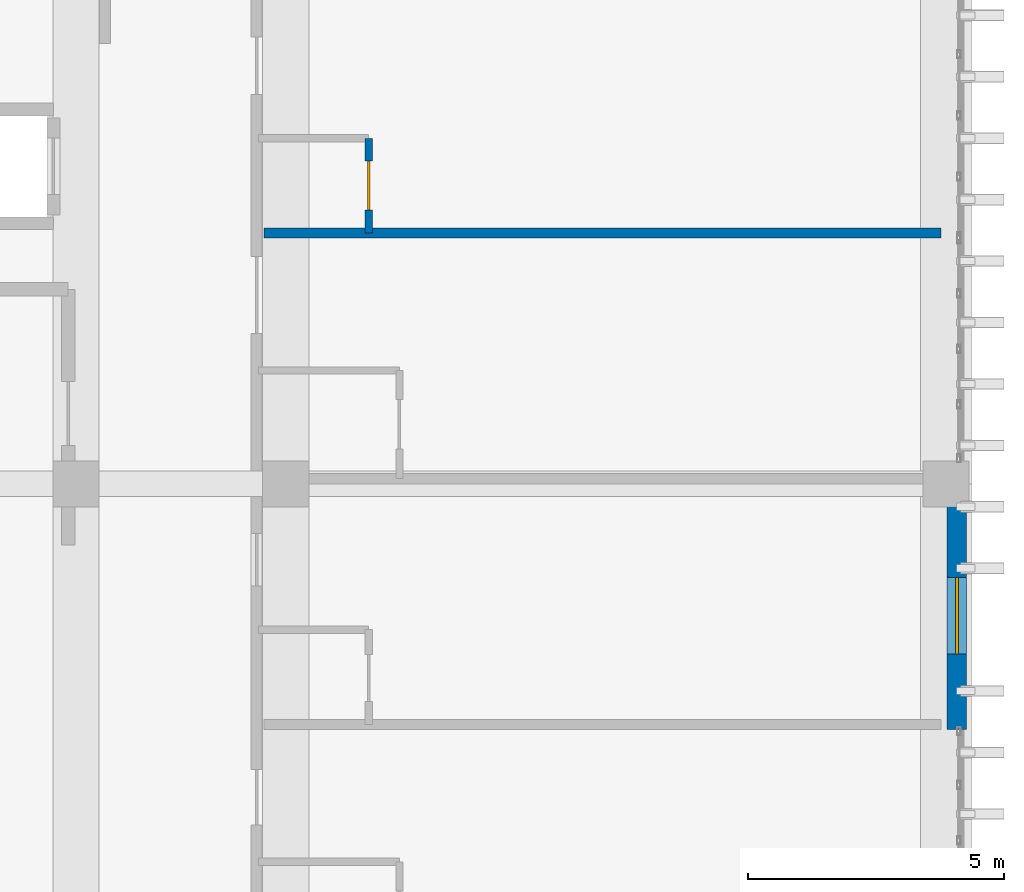
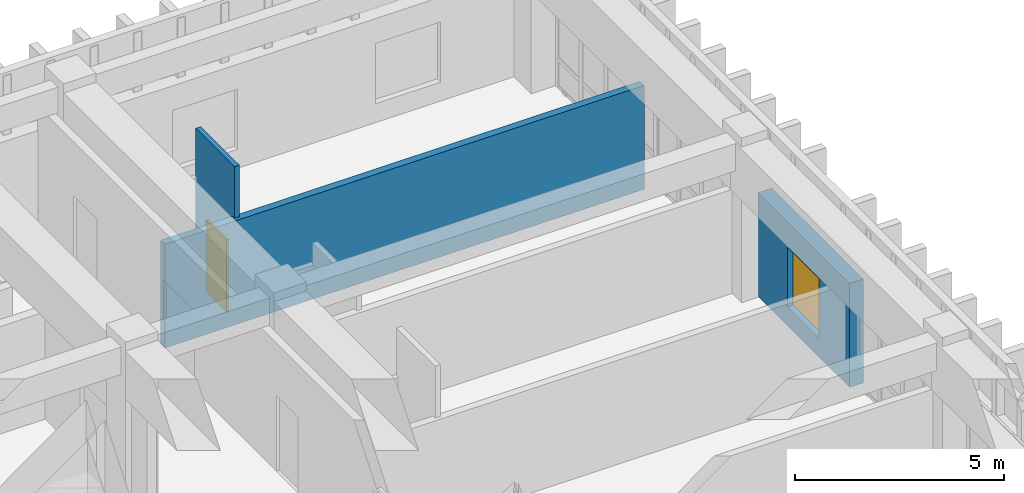
# One storey, part 82 of 101: 3 walls, 1 door, 1 window, 2 openings.
"""IFC4 building model written with IfcOpenShell, lengths in metres."""

from ifc_helpers import new_model, si_unit, direction, frame, frame_2d, origin, place, context, subcontext, project, spatial, rectangle, extrude, material, layer, layer_set, type_object, element, fill, save


model = new_model("IFC4")

# Units and contexts
model_context = context("Model", 3, precision=1e-05, world=origin(), true_north=direction((0.0, 1.0)))
body_context = subcontext(model_context, "Body", "Model", "MODEL_VIEW")
ifc_project = project(units=[si_unit("LENGTHUNIT", "METRE"), si_unit("AREAUNIT", "SQUARE_METRE"), si_unit("VOLUMEUNIT", "CUBIC_METRE"), si_unit("PLANEANGLEUNIT", "RADIAN"), si_unit("MASSUNIT", "GRAM", prefix="KILO")], contexts=[model_context])

# Site, building, storey
site_placement = place(None, origin())
site = spatial("IfcSite", under=ifc_project, at=site_placement, CompositionType="ELEMENT")
building_placement = place(site_placement, origin())
building = spatial("IfcBuilding", under=site, at=building_placement, Name="Nakhvara Creek Congress Hotel", CompositionType="ELEMENT")
storey_placement = place(building_placement, frame((0.0, 0.0, 16.199951171875)))
storey = spatial("IfcBuildingStorey", under=building, at=storey_placement, Name="L03", CompositionType="ELEMENT", Elevation=16.199951171875)

# Wall, opening, door
ifc_material_1 = material(Name="Moisture-resistant gypsum board partition")
ifc_layer_1 = layer(ifc_material_1, 0.139892578125)
ifc_layer_set_1 = layer_set([ifc_layer_1], Name="Moisture-resistant gypsum board partition")
wall_type_1 = type_object("IfcWallType", Name="W-ENS-140", PredefinedType="PARTITIONING", material=ifc_layer_set_1)
wall_1_placement = place(storey_placement, frame((168.070068359375, 120.10009765625, 0.0), z_axis=(0.0, 0.0, 1.0), x_axis=(0.0, 1.0, 0.0)))
wall_1 = element("IfcWall", 1, at=wall_1_placement, inside=storey, type_object=wall_type_1, Name="Interior Wall WP15-IW-L03-0283", PredefinedType="PARTITIONING", context=body_context, shape_type="SweptSolid", body=[
    extrude(rectangle(XDim=1.849853515625, YDim=0.139892578125, at=frame_2d((0.9248046875, 0.0))), origin(), (0.0, 0.0, 1.0), 4.5400390625),
])
opening_1_placement = place(wall_1_placement, frame((0.449951171875, 0.0, 0.0)))
opening_1 = element("IfcOpeningElement", 2, at=opening_1_placement, cuts=wall_1, Name="Opening ID02", PredefinedType="OPENING", context=body_context, shape_type="SweptSolid", body=[
    extrude(rectangle(XDim=0.9599609375, YDim=2.1201171875, at=frame_2d((0.47998046875, 1.06005859375))), frame((0.0, 0.08203125, 0.0), z_axis=(0.0, -1.0, 0.0), x_axis=(1.0, 0.0, 0.0)), (0.0, 0.0, 1.0), 0.163818359375),
])
ifc_material_2 = material(Name="Moisture-resistant walnut timber door", Category="wood")
door_type = type_object("IfcDoorType", Name="DT-ENS-096", OperationType="NOTDEFINED", PredefinedType="DOOR", material=ifc_material_2)
door_placement = place(opening_1_placement, frame((0.9599609375, 0.0, 0.0), z_axis=(0.0, 0.0, 1.0), x_axis=(-1.0, 0.0, 0.0)))
door = element("IfcDoor", 3, at=door_placement, inside=storey, type_object=door_type, Name="Interior Door ID02-0251", OperationType="SINGLE_SWING_RIGHT", OverallHeight=2.1201171875, OverallWidth=0.9599609375, PredefinedType="DOOR", context=body_context, shape_type="SweptSolid", body=[
    extrude(rectangle(XDim=0.9599609375, YDim=2.1201171875, at=frame_2d((0.47998046875, 1.06005859375))), frame((0.0, 0.02490234375, 0.0), z_axis=(0.0, -1.0, 0.0), x_axis=(1.0, 0.0, 0.0)), (0.0, 0.0, 1.0), 0.050048828125),
])
fill(opening_1, door)

# Wall, opening, window
ifc_material_3 = material(Name="Honed pale Omani limestone cladding", Category="masonry")
ifc_layer_2 = layer(ifc_material_3, 0.050048828125)
ifc_material_4 = material(Name="Mineral wool thermal insulation")
ifc_layer_3 = layer(ifc_material_4, 0.110107421875)
ifc_material_5 = material(Name="Precast concrete C40/50", Category="concrete")
ifc_layer_4 = layer(ifc_material_5, 0.219970703125)
ifc_layer_set_2 = layer_set([ifc_layer_2, ifc_layer_3, ifc_layer_4], Name="Precast concrete C40/50")
wall_type_2 = type_object("IfcWallType", Name="W-EXT-380", PredefinedType="SOLIDWALL", material=ifc_layer_set_2)
wall_2_placement = place(storey_placement, frame((179.56005859375, 114.77490234375, 0.0), z_axis=(0.0, 0.0, 1.0), x_axis=(0.0, -1.0, 0.0)))
wall_2 = element("IfcWall", 4, at=wall_2_placement, inside=storey, type_object=wall_type_2, Name="Exterior Wall WE03-EW-L03-0129", PredefinedType="SOLIDWALL", context=body_context, shape_type="SweptSolid", body=[
    extrude(rectangle(XDim=4.375, YDim=0.3798828125, at=frame_2d((2.1875, 0.0))), origin(), (0.0, 0.0, 1.0), 3.031982421875),
])
opening_2_placement = place(wall_2_placement, frame((1.402587890625, 0.0, 0.550048828125)))
opening_2 = element("IfcOpeningElement", 5, at=opening_2_placement, cuts=wall_2, Name="Opening WN0138", PredefinedType="OPENING", context=body_context, shape_type="SweptSolid", body=[
    extrude(rectangle(XDim=1.5, YDim=1.739990234375, at=frame_2d((0.75, 0.8701171875))), frame((0.0, 0.201904296875, 0.0), z_axis=(0.0, -1.0, 0.0), x_axis=(1.0, 0.0, 0.0)), (0.0, 0.0, 1.0), 0.40380859375),
])
ifc_material_6 = material(Name="Thermally broken bronze-anodised aluminium and double-silver low-E insulated glass", Category="aluminium")
window_type = type_object("IfcWindowType", Name="WN-LAN-150X220", PartitioningType="SINGLE_PANEL", PredefinedType="WINDOW", material=ifc_material_6)
window_placement = place(opening_2_placement, origin())
window = element("IfcWindow", 6, at=window_placement, inside=storey, type_object=window_type, Name="Facade Window WN0138", OverallHeight=1.739990234375, OverallWidth=1.5, PartitioningType="SINGLE_PANEL", PredefinedType="WINDOW", context=body_context, shape_type="SweptSolid", body=[
    extrude(rectangle(XDim=1.5, YDim=1.739990234375, at=frame_2d((0.75, 0.8701171875))), frame((0.0, 0.030029296875, 0.0), z_axis=(0.0, -1.0, 0.0), x_axis=(1.0, 0.0, 0.0)), (0.0, 0.0, 1.0), 0.06005859375),
])
fill(opening_2, window)

# Wall
ifc_material_7 = material(Name="Gypsum acoustic board on steel stud", Category="steel")
ifc_layer_5 = layer(ifc_material_7, 0.199951171875)
ifc_layer_set_3 = layer_set([ifc_layer_5], Name="Gypsum acoustic board on steel stud")
wall_type_3 = type_object("IfcWallType", Name="W-PART-200", PredefinedType="PARTITIONING", material=ifc_layer_set_3)
wall_3_placement = place(storey_placement, frame((166.02001953125, 120.10009765625, 0.0), z_axis=(0.0, 0.0, 1.0), x_axis=(1.0, 0.0, 0.0)))
element("IfcWall", 7, at=wall_3_placement, inside=storey, type_object=wall_type_3, Name="Interior Wall WP12-IW-L03-0282", PredefinedType="PARTITIONING", context=body_context, shape_type="SweptSolid", body=[
    extrude(rectangle(XDim=13.22998046875, YDim=0.199951171875, at=frame_2d((6.614990234375, 0.0))), origin(), (0.0, 0.0, 1.0), 3.031982421875),
])

save(model, "model.ifc")
